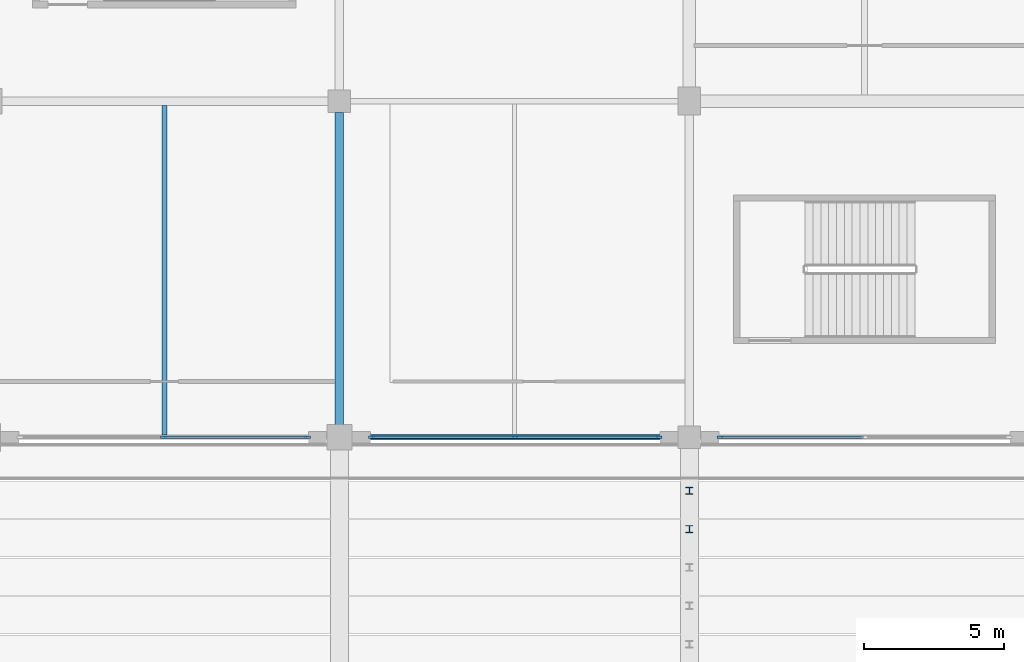
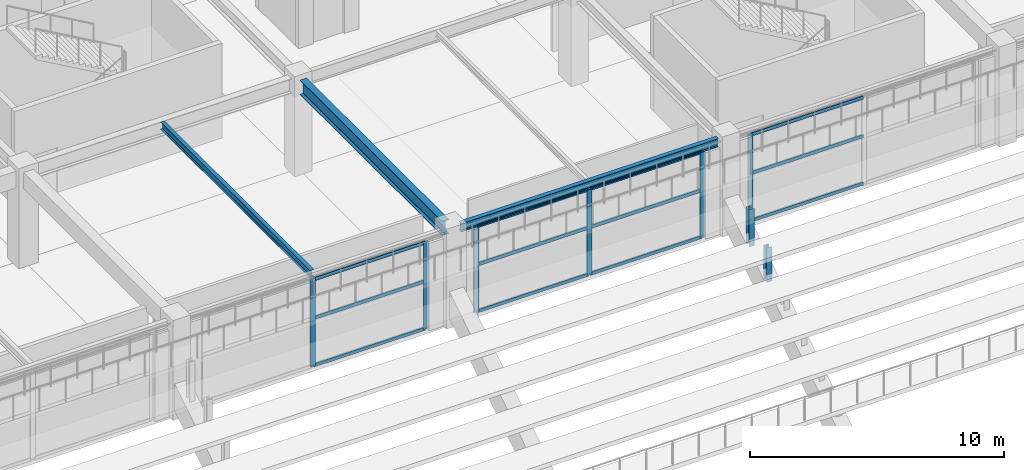
# One storey, part 59 of 134: 20 members, 3 beams, 3 elements without a shape of their own.
"""IFC4 building model written with IfcOpenShell, lengths in metres."""

from ifc_helpers import new_model, si_unit, direction, frame, origin, origin_2d, place, context, subcontext, project, spatial, rectangle, i_section, extrude, material, layer, layer_set, material_profile, profile_set, type_object, element, aggregate, save


model = new_model("IFC4")

# Units and contexts
model_context = context("Model", 3, precision=1e-05, world=origin(), true_north=direction((0.0, 1.0)))
body_context = subcontext(model_context, "Body", "Model", "MODEL_VIEW")
ifc_project = project(units=[si_unit("LENGTHUNIT", "METRE"), si_unit("AREAUNIT", "SQUARE_METRE"), si_unit("VOLUMEUNIT", "CUBIC_METRE"), si_unit("PLANEANGLEUNIT", "RADIAN"), si_unit("MASSUNIT", "GRAM", prefix="KILO")], contexts=[model_context])

# Site, building, storey
site_placement = place(None, origin())
site = spatial("IfcSite", under=ifc_project, at=site_placement, CompositionType="ELEMENT")
building_placement = place(site_placement, origin())
building = spatial("IfcBuilding", under=site, at=building_placement, Name="Kazenohara Klinker Stadium", CompositionType="ELEMENT")
storey_placement = place(building_placement, frame((0.0, 0.0, 5.39990234375)))
storey = spatial("IfcBuildingStorey", under=building, at=storey_placement, Name="L01", CompositionType="ELEMENT", Elevation=5.39990234375)

# Beams
ifc_material_1 = material(Name="Steel S355", Category="steel")
ifc_material_profile_1 = material_profile(ifc_material_1, i_section(OverallWidth=0.175048828125, OverallDepth=0.35009765625, WebThickness=0.007080078125, FlangeThickness=0.010986328125, FilletRadius=0.012939453125, at=origin_2d()), Name="H-350x175x7x11")
ifc_profile_set_1 = profile_set([ifc_material_profile_1], Name="Steel S355")
beam_type_1 = type_object("IfcBeamType", Name="BM-JST04", PredefinedType="JOIST", material=ifc_profile_set_1)
beam_1_placement = place(storey_placement, frame((131.25, 132.08740234375, 4.375), z_axis=(0.0, 1.0, 0.0), x_axis=(-1.0, 0.0, 0.0)))
element("IfcBeam", 1, at=beam_1_placement, inside=storey, type_object=beam_type_1, Name="Secondary floor joist SJ04 L01 11/M", PredefinedType="JOIST", context=body_context, shape_type="SweptSolid", body=[
    extrude(i_section(OverallWidth=0.175048828125, OverallDepth=0.35009765625, WebThickness=0.007080078125, FlangeThickness=0.010986328125, FilletRadius=0.012939453125, at=origin_2d()), origin(), (0.0, 0.0, 1.0), 11.7626953125),
])
ifc_material_profile_2 = material_profile(ifc_material_1, i_section(OverallWidth=0.199951171875, OverallDepth=0.39990234375, WebThickness=0.008056640625, FlangeThickness=0.012939453125, FilletRadius=0.012939453125, at=origin_2d()), Name="H-400x200x8x13")
ifc_profile_set_2 = profile_set([ifc_material_profile_2], Name="Steel S355")
beam_type_2 = type_object("IfcBeamType", Name="BM-SPD01", PredefinedType="SPANDREL", material=ifc_profile_set_2)
beam_2_placement = place(storey_placement, frame((137.919921875, 132.0, 4.35009765625), z_axis=(1.0, 0.0, 0.0), x_axis=(0.0, 1.0, 0.0)))
element("IfcBeam", 2, at=beam_2_placement, inside=storey, type_object=beam_type_2, Name="Primary girder SP01 L01 12-13/M", PredefinedType="SPANDREL", context=body_context, shape_type="SweptSolid", body=[
    extrude(i_section(OverallWidth=0.199951171875, OverallDepth=0.39990234375, WebThickness=0.008056640625, FlangeThickness=0.012939453125, FilletRadius=0.012939453125, at=origin_2d()), origin(), (0.0, 0.0, 1.0), 11.68017578125),
])
ifc_material_profile_3 = material_profile(ifc_material_1, i_section(OverallWidth=0.300048828125, OverallDepth=0.699951171875, WebThickness=0.012939453125, FlangeThickness=0.02392578125, FilletRadius=0.02197265625, at=origin_2d()), Name="H-700x300x13x24")
ifc_profile_set_3 = profile_set([ifc_material_profile_3], Name="Steel S355")
beam_type_3 = type_object("IfcBeamType", Name="BM-ST03", PredefinedType="BEAM", material=ifc_profile_set_3)
beam_3_placement = place(storey_placement, frame((137.5, 132.419921875, 4.2001953125), z_axis=(0.0, 1.0, 0.0), x_axis=(-1.0, 0.0, 0.0)))
element("IfcBeam", 3, at=beam_3_placement, inside=storey, type_object=beam_type_3, Name="Primary girder SB03 L01 12/M-N", PredefinedType="BEAM", context=body_context, shape_type="SweptSolid", body=[
    extrude(i_section(OverallWidth=0.300048828125, OverallDepth=0.699951171875, WebThickness=0.012939453125, FlangeThickness=0.02392578125, FilletRadius=0.02197265625, at=origin_2d()), origin(), (0.0, 0.0, 1.0), 11.18017578125),
])

# Curtain wall, members
ifc_material_2 = material(Name="Anodised aluminium and triple glazing", Category="aluminium")
ifc_layer_1 = layer(ifc_material_2, 0.159912109375)
ifc_layer_set_1 = layer_set([ifc_layer_1], Name="Anodised aluminium and triple glazing")
curtain_wall_type_1 = type_object("IfcCurtainWallType", Name="CW-SYS-01", PredefinedType="USERDEFINED", material=ifc_layer_set_1)
curtain_wall_1_placement = place(storey_placement, origin())
curtain_wall_1 = element("IfcCurtainWall", 4, at=curtain_wall_1_placement, inside=storey, type_object=curtain_wall_type_1, Name="Unitised facade curtain wall CW01 L01 X10-11", ObjectType="UNITISED CURTAIN WALL", PredefinedType="USERDEFINED")
ifc_material_3 = material(Name="Anodised aluminium 6063-T6", Category="aluminium")
ifc_material_profile_4 = material_profile(ifc_material_3, rectangle(XDim=0.074951171875, YDim=0.219970703125, at=origin_2d()), Name="ALU-MUL-75x220")
ifc_profile_set_4 = profile_set([ifc_material_profile_4], Name="Anodised aluminium 6063-T6")
member_type_1 = type_object("IfcMemberType", Name="CW-MUL-220", PredefinedType="MULLION", material=ifc_profile_set_4)
member_1_placement = place(storey_placement, frame((131.22509765625, 132.0, 0.0), z_axis=(0.0, 0.0, 1.0), x_axis=(0.0, 1.0, 0.0)))
member_1 = element("IfcMember", 5, at=member_1_placement, type_object=member_type_1, Name="CW01 mullion 2", PredefinedType="MULLION", context=body_context, shape_type="SweptSolid", body=[
    extrude(rectangle(XDim=0.074951171875, YDim=0.219970703125, at=origin_2d()), origin(), (0.0, 0.0, 1.0), 4.2001953125),
])
member_2_placement = place(storey_placement, frame((136.3583984375, 132.0, 0.0), z_axis=(0.0, 0.0, 1.0), x_axis=(0.0, 1.0, 0.0)))
member_2 = element("IfcMember", 6, at=member_2_placement, type_object=member_type_1, Name="CW01 mullion 3", PredefinedType="MULLION", context=body_context, shape_type="SweptSolid", body=[
    extrude(rectangle(XDim=0.074951171875, YDim=0.219970703125, at=origin_2d()), origin(), (0.0, 0.0, 1.0), 4.2001953125),
])

ifc_layer_2 = layer(ifc_material_2, 0.199951171875)
ifc_layer_set_2 = layer_set([ifc_layer_2], Name="Anodised aluminium and triple glazing")
curtain_wall_type_2 = type_object("IfcCurtainWallType", Name="CW-SYS-03", PredefinedType="USERDEFINED", material=ifc_layer_set_2)
curtain_wall_2_placement = place(storey_placement, origin())
curtain_wall_2 = element("IfcCurtainWall", 7, at=curtain_wall_2_placement, inside=storey, type_object=curtain_wall_type_2, Name="Unitised facade curtain wall CW03 L01 X11-11", ObjectType="UNITISED CURTAIN WALL", PredefinedType="USERDEFINED")
member_3_placement = place(storey_placement, frame((138.6416015625, 132.0, 0.0), z_axis=(0.0, 0.0, 1.0), x_axis=(0.0, 1.0, 0.0)))
member_3 = element("IfcMember", 8, at=member_3_placement, type_object=member_type_1, Name="CW03 mullion 1", PredefinedType="MULLION", context=body_context, shape_type="SweptSolid", body=[
    extrude(rectangle(XDim=0.074951171875, YDim=0.219970703125, at=origin_2d()), origin(), (0.0, 0.0, 1.0), 4.150146484375),
])
member_4_placement = place(storey_placement, frame((143.77490234375, 132.0, 0.0), z_axis=(0.0, 0.0, 1.0), x_axis=(0.0, 1.0, 0.0)))
member_4 = element("IfcMember", 9, at=member_4_placement, type_object=member_type_1, Name="CW03 mullion 2", PredefinedType="MULLION", context=body_context, shape_type="SweptSolid", body=[
    extrude(rectangle(XDim=0.074951171875, YDim=0.219970703125, at=origin_2d()), origin(), (0.0, 0.0, 1.0), 4.150146484375),
])
member_5_placement = place(storey_placement, frame((148.908447265625, 132.0, 0.0), z_axis=(0.0, 0.0, 1.0), x_axis=(0.0, 1.0, 0.0)))
member_5 = element("IfcMember", 10, at=member_5_placement, type_object=member_type_1, Name="CW03 mullion 3", PredefinedType="MULLION", context=body_context, shape_type="SweptSolid", body=[
    extrude(rectangle(XDim=0.074951171875, YDim=0.219970703125, at=origin_2d()), origin(), (0.0, 0.0, 1.0), 4.150146484375),
])

# Curtain wall, member
ifc_layer_3 = layer(ifc_material_2, 0.18994140625)
ifc_layer_set_3 = layer_set([ifc_layer_3], Name="Anodised aluminium and triple glazing")
curtain_wall_type_3 = type_object("IfcCurtainWallType", Name="CW-SYS-05", PredefinedType="USERDEFINED", material=ifc_layer_set_3)
curtain_wall_3_placement = place(storey_placement, origin())
curtain_wall_3 = element("IfcCurtainWall", 11, at=curtain_wall_3_placement, inside=storey, type_object=curtain_wall_type_3, Name="Unitised facade curtain wall CW05 L01 X12-11", ObjectType="UNITISED CURTAIN WALL", PredefinedType="USERDEFINED")
member_6_placement = place(storey_placement, frame((151.091552734375, 132.0, 0.0), z_axis=(0.0, 0.0, 1.0), x_axis=(0.0, 1.0, 0.0)))
member_6 = element("IfcMember", 12, at=member_6_placement, type_object=member_type_1, Name="CW05 mullion 1", PredefinedType="MULLION", context=body_context, shape_type="SweptSolid", body=[
    extrude(rectangle(XDim=0.074951171875, YDim=0.219970703125, at=origin_2d()), origin(), (0.0, 0.0, 1.0), 4.2001953125),
])

# Member
ifc_material_profile_5 = material_profile(ifc_material_3, rectangle(XDim=0.074951171875, YDim=0.159912109375, at=origin_2d()), Name="ALU-TRN-75x160")
ifc_profile_set_5 = profile_set([ifc_material_profile_5], Name="Anodised aluminium 6063-T6")
member_type_2 = type_object("IfcMemberType", Name="CW-TRN-160", PredefinedType="USERDEFINED", material=ifc_profile_set_5)
member_7_placement = place(storey_placement, frame((131.262451171875, 132.0, 0.03759765625), z_axis=(1.0, 0.0, 0.0), x_axis=(0.0, 1.0, 0.0)))
member_7 = element("IfcMember", 13, at=member_7_placement, type_object=member_type_2, Name="CW01 transom 2.1", ObjectType="TRANSOM", PredefinedType="USERDEFINED", context=body_context, shape_type="SweptSolid", body=[
    extrude(rectangle(XDim=0.074951171875, YDim=0.159912109375, at=origin_2d()), origin(), (0.0, 0.0, 1.0), 5.05859375),
])

member_8_placement = place(storey_placement, frame((131.262451171875, 132.0, 2.31005859375), z_axis=(1.0, 0.0, 0.0), x_axis=(0.0, 1.0, 0.0)))
member_8 = element("IfcMember", 14, at=member_8_placement, type_object=member_type_2, Name="CW01 transom 2.2", ObjectType="TRANSOM", PredefinedType="USERDEFINED", context=body_context, shape_type="SweptSolid", body=[
    extrude(rectangle(XDim=0.074951171875, YDim=0.159912109375, at=origin_2d()), origin(), (0.0, 0.0, 1.0), 5.05859375),
])

member_9_placement = place(storey_placement, frame((131.262451171875, 132.0, 4.16259765625), z_axis=(1.0, 0.0, 0.0), x_axis=(0.0, 1.0, 0.0)))
member_9 = element("IfcMember", 15, at=member_9_placement, type_object=member_type_2, Name="CW01 transom 2.3", ObjectType="TRANSOM", PredefinedType="USERDEFINED", context=body_context, shape_type="SweptSolid", body=[
    extrude(rectangle(XDim=0.074951171875, YDim=0.159912109375, at=origin_2d()), origin(), (0.0, 0.0, 1.0), 5.05859375),
])

aggregate(curtain_wall_1, [member_1, member_2, member_7, member_8, member_9])

member_10_placement = place(storey_placement, frame((138.678955078125, 132.0, 0.03759765625), z_axis=(1.0, 0.0, 0.0), x_axis=(0.0, 1.0, 0.0)))
member_10 = element("IfcMember", 16, at=member_10_placement, type_object=member_type_2, Name="CW03 transom 1.1", ObjectType="TRANSOM", PredefinedType="USERDEFINED", context=body_context, shape_type="SweptSolid", body=[
    extrude(rectangle(XDim=0.074951171875, YDim=0.159912109375, at=origin_2d()), origin(), (0.0, 0.0, 1.0), 5.05859375),
])

member_11_placement = place(storey_placement, frame((138.678955078125, 132.0, 2.28271484375), z_axis=(1.0, 0.0, 0.0), x_axis=(0.0, 1.0, 0.0)))
member_11 = element("IfcMember", 17, at=member_11_placement, type_object=member_type_2, Name="CW03 transom 1.2", ObjectType="TRANSOM", PredefinedType="USERDEFINED", context=body_context, shape_type="SweptSolid", body=[
    extrude(rectangle(XDim=0.074951171875, YDim=0.159912109375, at=origin_2d()), origin(), (0.0, 0.0, 1.0), 5.05859375),
])

member_12_placement = place(storey_placement, frame((138.678955078125, 132.0, 4.112548828125), z_axis=(1.0, 0.0, 0.0), x_axis=(0.0, 1.0, 0.0)))
member_12 = element("IfcMember", 18, at=member_12_placement, type_object=member_type_2, Name="CW03 transom 1.3", ObjectType="TRANSOM", PredefinedType="USERDEFINED", context=body_context, shape_type="SweptSolid", body=[
    extrude(rectangle(XDim=0.074951171875, YDim=0.159912109375, at=origin_2d()), origin(), (0.0, 0.0, 1.0), 5.05859375),
])

member_13_placement = place(storey_placement, frame((143.8125, 132.0, 0.03759765625), z_axis=(1.0, 0.0, 0.0), x_axis=(0.0, 1.0, 0.0)))
member_13 = element("IfcMember", 19, at=member_13_placement, type_object=member_type_2, Name="CW03 transom 2.1", ObjectType="TRANSOM", PredefinedType="USERDEFINED", context=body_context, shape_type="SweptSolid", body=[
    extrude(rectangle(XDim=0.074951171875, YDim=0.159912109375, at=origin_2d()), origin(), (0.0, 0.0, 1.0), 5.05859375),
])

member_14_placement = place(storey_placement, frame((143.8125, 132.0, 2.28271484375), z_axis=(1.0, 0.0, 0.0), x_axis=(0.0, 1.0, 0.0)))
member_14 = element("IfcMember", 20, at=member_14_placement, type_object=member_type_2, Name="CW03 transom 2.2", ObjectType="TRANSOM", PredefinedType="USERDEFINED", context=body_context, shape_type="SweptSolid", body=[
    extrude(rectangle(XDim=0.074951171875, YDim=0.159912109375, at=origin_2d()), origin(), (0.0, 0.0, 1.0), 5.05859375),
])

member_15_placement = place(storey_placement, frame((143.8125, 132.0, 4.112548828125), z_axis=(1.0, 0.0, 0.0), x_axis=(0.0, 1.0, 0.0)))
member_15 = element("IfcMember", 21, at=member_15_placement, type_object=member_type_2, Name="CW03 transom 2.3", ObjectType="TRANSOM", PredefinedType="USERDEFINED", context=body_context, shape_type="SweptSolid", body=[
    extrude(rectangle(XDim=0.074951171875, YDim=0.159912109375, at=origin_2d()), origin(), (0.0, 0.0, 1.0), 5.05859375),
])

aggregate(curtain_wall_2, [member_3, member_4, member_5, member_10, member_11, member_12, member_13, member_14, member_15])

member_16_placement = place(storey_placement, frame((151.12890625, 132.0, 0.03759765625), z_axis=(1.0, 0.0, 0.0), x_axis=(0.0, 1.0, 0.0)))
member_16 = element("IfcMember", 22, at=member_16_placement, type_object=member_type_2, Name="CW05 transom 1.1", ObjectType="TRANSOM", PredefinedType="USERDEFINED", context=body_context, shape_type="SweptSolid", body=[
    extrude(rectangle(XDim=0.074951171875, YDim=0.159912109375, at=origin_2d()), origin(), (0.0, 0.0, 1.0), 5.08349609375),
])

member_17_placement = place(storey_placement, frame((151.12890625, 132.0, 2.31005859375), z_axis=(1.0, 0.0, 0.0), x_axis=(0.0, 1.0, 0.0)))
member_17 = element("IfcMember", 23, at=member_17_placement, type_object=member_type_2, Name="CW05 transom 1.2", ObjectType="TRANSOM", PredefinedType="USERDEFINED", context=body_context, shape_type="SweptSolid", body=[
    extrude(rectangle(XDim=0.074951171875, YDim=0.159912109375, at=origin_2d()), origin(), (0.0, 0.0, 1.0), 5.08349609375),
])

member_18_placement = place(storey_placement, frame((151.12890625, 132.0, 4.16259765625), z_axis=(1.0, 0.0, 0.0), x_axis=(0.0, 1.0, 0.0)))
member_18 = element("IfcMember", 24, at=member_18_placement, type_object=member_type_2, Name="CW05 transom 1.3", ObjectType="TRANSOM", PredefinedType="USERDEFINED", context=body_context, shape_type="SweptSolid", body=[
    extrude(rectangle(XDim=0.074951171875, YDim=0.159912109375, at=origin_2d()), origin(), (0.0, 0.0, 1.0), 5.08349609375),
])

aggregate(curtain_wall_3, [member_6, member_16, member_17, member_18])

# Members
ifc_material_profile_6 = material_profile(ifc_material_1, i_section(OverallWidth=0.25, OverallDepth=0.25, WebThickness=0.009033203125, FlangeThickness=0.013916015625, FilletRadius=0.012939453125, at=origin_2d()), Name="H-250x250x9x14")
ifc_profile_set_6 = profile_set([ifc_material_profile_6], Name="Steel S355")
member_type_3 = type_object("IfcMemberType", Name="MEM-STR02", PredefinedType="STRUT", material=ifc_profile_set_6)
member_19_placement = place(storey_placement, frame((150.0, 130.095703125, 0.407470703125), z_axis=(0.0, 0.0, 1.0), x_axis=(1.0, 0.0, 0.0)))
element("IfcMember", 25, at=member_19_placement, inside=storey, type_object=member_type_3, Name="Precast tier riser stool LOWER-N-02-12", PredefinedType="STRUT", context=body_context, shape_type="SweptSolid", body=[
    extrude(i_section(OverallWidth=0.25, OverallDepth=0.25, WebThickness=0.009033203125, FlangeThickness=0.013916015625, FilletRadius=0.012939453125, at=origin_2d()), origin(), (0.0, 0.0, 1.0), 1.78271484375),
])
member_20_placement = place(storey_placement, frame((150.0, 128.724365234375, -0.463134765625), z_axis=(0.0, 0.0, 1.0), x_axis=(1.0, 0.0, 0.0)))
element("IfcMember", 26, at=member_20_placement, inside=storey, type_object=member_type_3, Name="Precast tier riser stool LOWER-N-03-12", PredefinedType="STRUT", context=body_context, shape_type="SweptSolid", body=[
    extrude(i_section(OverallWidth=0.25, OverallDepth=0.25, WebThickness=0.009033203125, FlangeThickness=0.013916015625, FilletRadius=0.012939453125, at=origin_2d()), origin(), (0.0, 0.0, 1.0), 1.6533203125),
])

save(model, "model.ifc")
